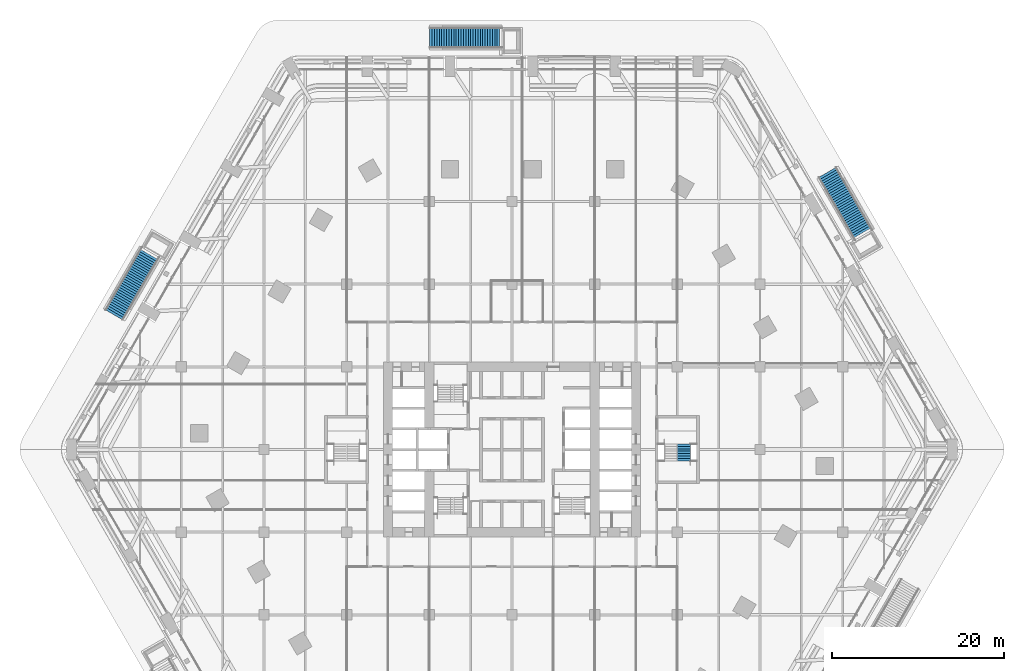
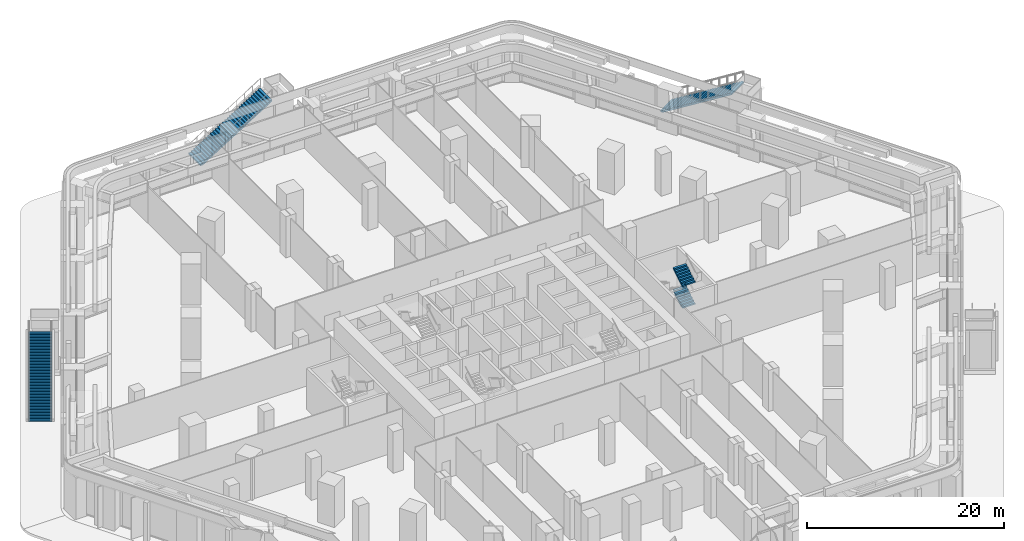
# One storey, part 28 of 34: 5 stair flights, 4 elements without a shape of their own.
"""IFC4 building model written with IfcOpenShell, lengths in metres."""

from ifc_helpers import new_model, si_unit, direction, frame, origin, place, context, subcontext, project, spatial, polyline, outline, extrude, material, type_object, element, aggregate, save


model = new_model("IFC4")

# Units and contexts
model_context = context("Model", 3, precision=1e-05, world=origin(), true_north=direction((0.0, 1.0)))
body_context = subcontext(model_context, "Body", "Model", "MODEL_VIEW")
ifc_project = project(units=[si_unit("LENGTHUNIT", "METRE"), si_unit("AREAUNIT", "SQUARE_METRE"), si_unit("VOLUMEUNIT", "CUBIC_METRE"), si_unit("PLANEANGLEUNIT", "RADIAN"), si_unit("MASSUNIT", "GRAM", prefix="KILO")], contexts=[model_context])

# Site, building, storey
site_placement = place(None, origin())
site = spatial("IfcSite", under=ifc_project, at=site_placement, CompositionType="ELEMENT")
building_placement = place(site_placement, origin())
building = spatial("IfcBuilding", under=site, at=building_placement, Name="Kolab Exchange Tower", CompositionType="ELEMENT")
storey_placement = place(building_placement, frame((0.0, 0.0, 7.0)))
storey = spatial("IfcBuildingStorey", under=building, at=storey_placement, Name="L01", CompositionType="ELEMENT", Elevation=7.0)

# Stair, stair flight
ifc_material_1 = material(Name="Concrete C40/50", Category="concrete")
stair_type_1 = type_object("IfcStairType", Name="GARDEN STAIR RUN B", PredefinedType="STRAIGHT_RUN_STAIR", material=ifc_material_1)
stair_1_placement = place(storey_placement, origin())
stair_1 = element("IfcStair", 1, at=stair_1_placement, inside=storey, type_object=stair_type_1, Name="Garden stair GS1 run B", PredefinedType="STRAIGHT_RUN_STAIR")
stair_flight_type_1 = type_object("IfcStairFlightType", Name="GARDEN STAIR FLIGHT B", PredefinedType="STRAIGHT", material=ifc_material_1)
stair_flight_1_placement = place(storey_placement, frame((-9.56005859375, 47.826171875, 0.0), z_axis=(0.0, 0.0, 1.0), x_axis=(1.0, 0.0, 0.0)))
stair_flight_1 = element("IfcStairFlight", 2, at=stair_flight_1_placement, type_object=stair_flight_type_1, Name="GS1 flight 1", NumberOfRisers=31, NumberOfTreads=30, PredefinedType="STRAIGHT", RiserHeight=0.174194, TreadLength=0.28, context=body_context, shape_type="SweptSolid", body=[
    extrude(outline(polyline([(0.0, 0.0), (0.0, 0.174072265625), (0.280029296875, 0.174072265625), (0.280029296875, 0.348388671875), (0.56005859375, 0.348388671875), (0.56005859375, 0.5224609375), (0.840087890625, 0.5224609375), (0.840087890625, 0.69677734375), (1.1201171875, 0.69677734375), (1.1201171875, 0.870849609375), (1.39990234375, 0.870849609375), (1.39990234375, 1.045166015625), (1.679931640625, 1.045166015625), (1.679931640625, 1.21923828125), (1.9599609375, 1.21923828125), (1.9599609375, 1.3935546875), (2.239990234375, 1.3935546875), (2.239990234375, 1.567626953125), (2.52001953125, 1.567626953125), (2.52001953125, 1.741943359375), (2.800048828125, 1.741943359375), (2.800048828125, 1.916015625), (3.080078125, 1.916015625), (3.080078125, 2.09033203125), (3.360107421875, 2.09033203125), (3.360107421875, 2.264404296875), (3.639892578125, 2.264404296875), (3.639892578125, 2.438720703125), (3.919921875, 2.438720703125), (3.919921875, 2.61279296875), (4.199951171875, 2.61279296875), (4.199951171875, 2.787109375), (4.47998046875, 2.787109375), (4.47998046875, 2.961181640625), (4.760009765625, 2.961181640625), (4.760009765625, 3.135498046875), (5.0400390625, 3.135498046875), (5.0400390625, 3.3095703125), (5.320068359375, 3.3095703125), (5.320068359375, 3.48388671875), (5.60009765625, 3.48388671875), (5.60009765625, 3.657958984375), (5.8798828125, 3.657958984375), (5.8798828125, 3.832275390625), (6.159912109375, 3.832275390625), (6.159912109375, 4.00634765625), (6.43994140625, 4.00634765625), (6.43994140625, 4.1806640625), (6.719970703125, 4.1806640625), (6.719970703125, 4.354736328125), (7.0, 4.354736328125), (7.0, 4.529052734375), (7.280029296875, 4.529052734375), (7.280029296875, 4.703125), (7.56005859375, 4.703125), (7.56005859375, 4.87744140625), (7.840087890625, 4.87744140625), (7.840087890625, 5.051513671875), (8.1201171875, 5.051513671875), (8.1201171875, 5.225830078125), (8.39990234375, 5.225830078125), (8.39990234375, 5.39990234375), (8.39990234375, 5.04931640625), (0.28369140625, 0.0), (0.0, 0.0)])), frame((0.0, 1.199951171875, 0.0), z_axis=(0.0, -1.0, 0.0), x_axis=(1.0, 0.0, 0.0)), (0.0, 0.0, 1.0), 2.39990234375),
])
aggregate(stair_1, [stair_flight_1])

stair_2_placement = place(storey_placement, origin())
stair_2 = element("IfcStair", 3, at=stair_2_placement, inside=storey, type_object=stair_type_1, Name="Garden stair GS2 run B", PredefinedType="STRAIGHT_RUN_STAIR")
stair_flight_2_placement = place(storey_placement, frame((36.638671875, 32.1923828125, 0.0), z_axis=(0.0, 0.0, 1.0), x_axis=(0.5, -0.866025403784, 0.0)))
stair_flight_2 = element("IfcStairFlight", 4, at=stair_flight_2_placement, type_object=stair_flight_type_1, Name="GS2 flight 1", NumberOfRisers=31, NumberOfTreads=30, PredefinedType="STRAIGHT", RiserHeight=0.174194, TreadLength=0.28, context=body_context, shape_type="SweptSolid", body=[
    extrude(outline(polyline([(0.0, 0.0), (0.0, 0.174072265625), (0.280029296875, 0.174072265625), (0.280029296875, 0.348388671875), (0.56005859375, 0.348388671875), (0.56005859375, 0.5224609375), (0.840087890625, 0.5224609375), (0.840087890625, 0.69677734375), (1.1201171875, 0.69677734375), (1.1201171875, 0.870849609375), (1.39990234375, 0.870849609375), (1.39990234375, 1.045166015625), (1.679931640625, 1.045166015625), (1.679931640625, 1.21923828125), (1.9599609375, 1.21923828125), (1.9599609375, 1.3935546875), (2.239990234375, 1.3935546875), (2.239990234375, 1.567626953125), (2.52001953125, 1.567626953125), (2.52001953125, 1.741943359375), (2.800048828125, 1.741943359375), (2.800048828125, 1.916015625), (3.080078125, 1.916015625), (3.080078125, 2.09033203125), (3.360107421875, 2.09033203125), (3.360107421875, 2.264404296875), (3.639892578125, 2.264404296875), (3.639892578125, 2.438720703125), (3.919921875, 2.438720703125), (3.919921875, 2.61279296875), (4.199951171875, 2.61279296875), (4.199951171875, 2.787109375), (4.47998046875, 2.787109375), (4.47998046875, 2.961181640625), (4.760009765625, 2.961181640625), (4.760009765625, 3.135498046875), (5.0400390625, 3.135498046875), (5.0400390625, 3.3095703125), (5.320068359375, 3.3095703125), (5.320068359375, 3.48388671875), (5.60009765625, 3.48388671875), (5.60009765625, 3.657958984375), (5.8798828125, 3.657958984375), (5.8798828125, 3.832275390625), (6.159912109375, 3.832275390625), (6.159912109375, 4.00634765625), (6.43994140625, 4.00634765625), (6.43994140625, 4.1806640625), (6.719970703125, 4.1806640625), (6.719970703125, 4.354736328125), (7.0, 4.354736328125), (7.0, 4.529052734375), (7.280029296875, 4.529052734375), (7.280029296875, 4.703125), (7.56005859375, 4.703125), (7.56005859375, 4.87744140625), (7.840087890625, 4.87744140625), (7.840087890625, 5.051513671875), (8.1201171875, 5.051513671875), (8.1201171875, 5.225830078125), (8.39990234375, 5.225830078125), (8.39990234375, 5.39990234375), (8.39990234375, 5.04931640625), (0.28369140625, 0.0), (0.0, 0.0)])), frame((0.0, 1.199951171875, 0.0), z_axis=(0.0, -1.0, 0.0), x_axis=(1.0, 0.0, 0.0)), (0.0, 0.0, 1.0), 2.39990234375),
])
aggregate(stair_2, [stair_flight_2])

stair_3_placement = place(storey_placement, origin())
stair_3 = element("IfcStair", 5, at=stair_3_placement, inside=storey, type_object=stair_type_1, Name="Garden stair GS6 run B", PredefinedType="STRAIGHT_RUN_STAIR")
stair_flight_3_placement = place(storey_placement, frame((-46.19873046875, 15.6337890625, 0.0), z_axis=(0.0, 0.0, 1.0), x_axis=(0.5, 0.866025403784, 0.0)))
stair_flight_3 = element("IfcStairFlight", 6, at=stair_flight_3_placement, type_object=stair_flight_type_1, Name="GS6 flight 1", NumberOfRisers=31, NumberOfTreads=30, PredefinedType="STRAIGHT", RiserHeight=0.174194, TreadLength=0.28, context=body_context, shape_type="SweptSolid", body=[
    extrude(outline(polyline([(0.0, 0.0), (0.0, 0.174072265625), (0.280029296875, 0.174072265625), (0.280029296875, 0.348388671875), (0.56005859375, 0.348388671875), (0.56005859375, 0.5224609375), (0.840087890625, 0.5224609375), (0.840087890625, 0.69677734375), (1.1201171875, 0.69677734375), (1.1201171875, 0.870849609375), (1.39990234375, 0.870849609375), (1.39990234375, 1.045166015625), (1.679931640625, 1.045166015625), (1.679931640625, 1.21923828125), (1.9599609375, 1.21923828125), (1.9599609375, 1.3935546875), (2.239990234375, 1.3935546875), (2.239990234375, 1.567626953125), (2.52001953125, 1.567626953125), (2.52001953125, 1.741943359375), (2.800048828125, 1.741943359375), (2.800048828125, 1.916015625), (3.080078125, 1.916015625), (3.080078125, 2.09033203125), (3.360107421875, 2.09033203125), (3.360107421875, 2.264404296875), (3.639892578125, 2.264404296875), (3.639892578125, 2.438720703125), (3.919921875, 2.438720703125), (3.919921875, 2.61279296875), (4.199951171875, 2.61279296875), (4.199951171875, 2.787109375), (4.47998046875, 2.787109375), (4.47998046875, 2.961181640625), (4.760009765625, 2.961181640625), (4.760009765625, 3.135498046875), (5.0400390625, 3.135498046875), (5.0400390625, 3.3095703125), (5.320068359375, 3.3095703125), (5.320068359375, 3.48388671875), (5.60009765625, 3.48388671875), (5.60009765625, 3.657958984375), (5.8798828125, 3.657958984375), (5.8798828125, 3.832275390625), (6.159912109375, 3.832275390625), (6.159912109375, 4.00634765625), (6.43994140625, 4.00634765625), (6.43994140625, 4.1806640625), (6.719970703125, 4.1806640625), (6.719970703125, 4.354736328125), (7.0, 4.354736328125), (7.0, 4.529052734375), (7.280029296875, 4.529052734375), (7.280029296875, 4.703125), (7.56005859375, 4.703125), (7.56005859375, 4.87744140625), (7.840087890625, 4.87744140625), (7.840087890625, 5.051513671875), (8.1201171875, 5.051513671875), (8.1201171875, 5.225830078125), (8.39990234375, 5.225830078125), (8.39990234375, 5.39990234375), (8.39990234375, 5.04931640625), (0.28369140625, 0.0), (0.0, 0.0)])), frame((0.0, 1.199951171875, 0.0), z_axis=(0.0, -1.0, 0.0), x_axis=(1.0, 0.0, 0.0)), (0.0, 0.0, 1.0), 2.39990234375),
])
aggregate(stair_3, [stair_flight_3])

# Stair, stair flights
ifc_material_2 = material(Name="Concrete C50/60", Category="concrete")
stair_type_2 = type_object("IfcStairType", Name="STAIR ST4 RISER 168.8", PredefinedType="DOUBLE_RETURN_STAIR", material=ifc_material_2)
stair_4_placement = place(storey_placement, origin())
stair_4 = element("IfcStair", 7, at=stair_4_placement, inside=storey, type_object=stair_type_2, Name="Stair 4", PredefinedType="DOUBLE_RETURN_STAIR")
stair_flight_type_2 = type_object("IfcStairFlightType", Name="STAIR FLIGHT 1500 RISER 168.8", PredefinedType="STRAIGHT", material=ifc_material_2)
stair_flight_4_placement = place(storey_placement, frame((19.9599609375, -1.31005859375, 1.35009765625), z_axis=(0.0, 0.0, 1.0), x_axis=(0.0, 1.0, 0.0)))
stair_flight_4 = element("IfcStairFlight", 8, at=stair_flight_4_placement, type_object=stair_flight_type_2, Name="ST4 flight 2", NumberOfRisers=8, NumberOfTreads=7, PredefinedType="STRAIGHT", RiserHeight=0.16875, TreadLength=0.28, context=body_context, shape_type="SweptSolid", body=[
    extrude(outline(polyline([(0.0, 0.0), (0.0, 0.168701171875), (0.280029296875, 0.168701171875), (0.280029296875, 0.33740234375), (0.56005859375, 0.33740234375), (0.56005859375, 0.50634765625), (0.840087890625, 0.50634765625), (0.840087890625, 0.675048828125), (1.1201171875, 0.675048828125), (1.1201171875, 0.84375), (1.39990234375, 0.84375), (1.39990234375, 1.012451171875), (1.679931640625, 1.012451171875), (1.679931640625, 1.18115234375), (1.9599609375, 1.18115234375), (1.9599609375, 1.35009765625), (1.9599609375, 1.00634765625), (0.29052734375, 0.0), (0.0, 0.0)])), frame((0.0, 0.75, 0.0), z_axis=(0.0, -1.0, 0.0), x_axis=(1.0, 0.0, 0.0)), (0.0, 0.0, 1.0), 0.185791015625),
    extrude(outline(polyline([(0.0, 0.0), (0.0, 0.168701171875), (0.280029296875, 0.168701171875), (0.280029296875, 0.33740234375), (0.56005859375, 0.33740234375), (0.56005859375, 0.50634765625), (0.840087890625, 0.50634765625), (0.840087890625, 0.675048828125), (1.1201171875, 0.675048828125), (1.1201171875, 0.84375), (1.39990234375, 0.84375), (1.39990234375, 1.012451171875), (1.679931640625, 1.012451171875), (1.679931640625, 1.18115234375), (1.9599609375, 1.18115234375), (1.9599609375, 1.35009765625), (1.9599609375, 1.00634765625), (0.29052734375, 0.0), (0.0, 0.0)])), frame((0.0, 0.562255859375, 0.0), z_axis=(0.0, -1.0, 0.0), x_axis=(1.0, 0.0, 0.0)), (0.0, 0.0, 1.0), 0.185791015625),
    extrude(outline(polyline([(0.0, 0.0), (0.0, 0.168701171875), (0.280029296875, 0.168701171875), (0.280029296875, 0.33740234375), (0.56005859375, 0.33740234375), (0.56005859375, 0.50634765625), (0.840087890625, 0.50634765625), (0.840087890625, 0.675048828125), (1.1201171875, 0.675048828125), (1.1201171875, 0.84375), (1.39990234375, 0.84375), (1.39990234375, 1.012451171875), (1.679931640625, 1.012451171875), (1.679931640625, 1.18115234375), (1.9599609375, 1.18115234375), (1.9599609375, 1.35009765625), (1.9599609375, 1.00634765625), (0.29052734375, 0.0), (0.0, 0.0)])), frame((0.0, 0.37451171875, 0.0), z_axis=(0.0, -1.0, 0.0), x_axis=(1.0, 0.0, 0.0)), (0.0, 0.0, 1.0), 0.185791015625),
    extrude(outline(polyline([(0.0, 0.0), (0.0, 0.168701171875), (0.280029296875, 0.168701171875), (0.280029296875, 0.33740234375), (0.56005859375, 0.33740234375), (0.56005859375, 0.50634765625), (0.840087890625, 0.50634765625), (0.840087890625, 0.675048828125), (1.1201171875, 0.675048828125), (1.1201171875, 0.84375), (1.39990234375, 0.84375), (1.39990234375, 1.012451171875), (1.679931640625, 1.012451171875), (1.679931640625, 1.18115234375), (1.9599609375, 1.18115234375), (1.9599609375, 1.35009765625), (1.9599609375, 1.00634765625), (0.29052734375, 0.0), (0.0, 0.0)])), frame((0.0, 0.186767578125, 0.0), z_axis=(0.0, -1.0, 0.0), x_axis=(1.0, 0.0, 0.0)), (0.0, 0.0, 1.0), 0.185791015625),
    extrude(outline(polyline([(0.0, 0.0), (0.0, 0.168701171875), (0.280029296875, 0.168701171875), (0.280029296875, 0.33740234375), (0.56005859375, 0.33740234375), (0.56005859375, 0.50634765625), (0.840087890625, 0.50634765625), (0.840087890625, 0.675048828125), (1.1201171875, 0.675048828125), (1.1201171875, 0.84375), (1.39990234375, 0.84375), (1.39990234375, 1.012451171875), (1.679931640625, 1.012451171875), (1.679931640625, 1.18115234375), (1.9599609375, 1.18115234375), (1.9599609375, 1.35009765625), (1.9599609375, 1.00634765625), (0.29052734375, 0.0), (0.0, 0.0)])), frame((0.0, -0.0009765625, 0.0), z_axis=(0.0, -1.0, 0.0), x_axis=(1.0, 0.0, 0.0)), (0.0, 0.0, 1.0), 0.185791015625),
    extrude(outline(polyline([(0.0, 0.0), (0.0, 0.168701171875), (0.280029296875, 0.168701171875), (0.280029296875, 0.33740234375), (0.56005859375, 0.33740234375), (0.56005859375, 0.50634765625), (0.840087890625, 0.50634765625), (0.840087890625, 0.675048828125), (1.1201171875, 0.675048828125), (1.1201171875, 0.84375), (1.39990234375, 0.84375), (1.39990234375, 1.012451171875), (1.679931640625, 1.012451171875), (1.679931640625, 1.18115234375), (1.9599609375, 1.18115234375), (1.9599609375, 1.35009765625), (1.9599609375, 1.00634765625), (0.29052734375, 0.0), (0.0, 0.0)])), frame((0.0, -0.188720703125, 0.0), z_axis=(0.0, -1.0, 0.0), x_axis=(1.0, 0.0, 0.0)), (0.0, 0.0, 1.0), 0.185791015625),
    extrude(outline(polyline([(0.0, 0.0), (0.0, 0.168701171875), (0.280029296875, 0.168701171875), (0.280029296875, 0.33740234375), (0.56005859375, 0.33740234375), (0.56005859375, 0.50634765625), (0.840087890625, 0.50634765625), (0.840087890625, 0.675048828125), (1.1201171875, 0.675048828125), (1.1201171875, 0.84375), (1.39990234375, 0.84375), (1.39990234375, 1.012451171875), (1.679931640625, 1.012451171875), (1.679931640625, 1.18115234375), (1.9599609375, 1.18115234375), (1.9599609375, 1.35009765625), (1.9599609375, 1.00634765625), (0.29052734375, 0.0), (0.0, 0.0)])), frame((0.0, -0.37646484375, 0.0), z_axis=(0.0, -1.0, 0.0), x_axis=(1.0, 0.0, 0.0)), (0.0, 0.0, 1.0), 0.185791015625),
    extrude(outline(polyline([(0.0, 0.0), (0.0, 0.168701171875), (0.280029296875, 0.168701171875), (0.280029296875, 0.33740234375), (0.56005859375, 0.33740234375), (0.56005859375, 0.50634765625), (0.840087890625, 0.50634765625), (0.840087890625, 0.675048828125), (1.1201171875, 0.675048828125), (1.1201171875, 0.84375), (1.39990234375, 0.84375), (1.39990234375, 1.012451171875), (1.679931640625, 1.012451171875), (1.679931640625, 1.18115234375), (1.9599609375, 1.18115234375), (1.9599609375, 1.35009765625), (1.9599609375, 1.00634765625), (0.29052734375, 0.0), (0.0, 0.0)])), frame((0.0, -0.564208984375, 0.0), z_axis=(0.0, -1.0, 0.0), x_axis=(1.0, 0.0, 0.0)), (0.0, 0.0, 1.0), 0.185791015625),
])
stair_flight_5_placement = place(storey_placement, frame((19.9599609375, -1.31005859375, 4.050048828125), z_axis=(0.0, 0.0, 1.0), x_axis=(0.0, 1.0, 0.0)))
stair_flight_5 = element("IfcStairFlight", 9, at=stair_flight_5_placement, type_object=stair_flight_type_2, Name="ST4 flight 4", NumberOfRisers=8, NumberOfTreads=7, PredefinedType="STRAIGHT", RiserHeight=0.16875, TreadLength=0.28, context=body_context, shape_type="SweptSolid", body=[
    extrude(outline(polyline([(0.0, 0.0), (0.0, 0.168701171875), (0.280029296875, 0.168701171875), (0.280029296875, 0.33740234375), (0.56005859375, 0.33740234375), (0.56005859375, 0.50634765625), (0.840087890625, 0.50634765625), (0.840087890625, 0.675048828125), (1.1201171875, 0.675048828125), (1.1201171875, 0.84375), (1.39990234375, 0.84375), (1.39990234375, 1.012451171875), (1.679931640625, 1.012451171875), (1.679931640625, 1.18115234375), (1.9599609375, 1.18115234375), (1.9599609375, 1.35009765625), (1.9599609375, 1.00634765625), (0.29052734375, 0.0), (0.0, 0.0)])), frame((0.0, 0.75, 0.0), z_axis=(0.0, -1.0, 0.0), x_axis=(1.0, 0.0, 0.0)), (0.0, 0.0, 1.0), 0.185791015625),
    extrude(outline(polyline([(0.0, 0.0), (0.0, 0.168701171875), (0.280029296875, 0.168701171875), (0.280029296875, 0.33740234375), (0.56005859375, 0.33740234375), (0.56005859375, 0.50634765625), (0.840087890625, 0.50634765625), (0.840087890625, 0.675048828125), (1.1201171875, 0.675048828125), (1.1201171875, 0.84375), (1.39990234375, 0.84375), (1.39990234375, 1.012451171875), (1.679931640625, 1.012451171875), (1.679931640625, 1.18115234375), (1.9599609375, 1.18115234375), (1.9599609375, 1.35009765625), (1.9599609375, 1.00634765625), (0.29052734375, 0.0), (0.0, 0.0)])), frame((0.0, 0.562255859375, 0.0), z_axis=(0.0, -1.0, 0.0), x_axis=(1.0, 0.0, 0.0)), (0.0, 0.0, 1.0), 0.185791015625),
    extrude(outline(polyline([(0.0, 0.0), (0.0, 0.168701171875), (0.280029296875, 0.168701171875), (0.280029296875, 0.33740234375), (0.56005859375, 0.33740234375), (0.56005859375, 0.50634765625), (0.840087890625, 0.50634765625), (0.840087890625, 0.675048828125), (1.1201171875, 0.675048828125), (1.1201171875, 0.84375), (1.39990234375, 0.84375), (1.39990234375, 1.012451171875), (1.679931640625, 1.012451171875), (1.679931640625, 1.18115234375), (1.9599609375, 1.18115234375), (1.9599609375, 1.35009765625), (1.9599609375, 1.00634765625), (0.29052734375, 0.0), (0.0, 0.0)])), frame((0.0, 0.37451171875, 0.0), z_axis=(0.0, -1.0, 0.0), x_axis=(1.0, 0.0, 0.0)), (0.0, 0.0, 1.0), 0.185791015625),
    extrude(outline(polyline([(0.0, 0.0), (0.0, 0.168701171875), (0.280029296875, 0.168701171875), (0.280029296875, 0.33740234375), (0.56005859375, 0.33740234375), (0.56005859375, 0.50634765625), (0.840087890625, 0.50634765625), (0.840087890625, 0.675048828125), (1.1201171875, 0.675048828125), (1.1201171875, 0.84375), (1.39990234375, 0.84375), (1.39990234375, 1.012451171875), (1.679931640625, 1.012451171875), (1.679931640625, 1.18115234375), (1.9599609375, 1.18115234375), (1.9599609375, 1.35009765625), (1.9599609375, 1.00634765625), (0.29052734375, 0.0), (0.0, 0.0)])), frame((0.0, 0.186767578125, 0.0), z_axis=(0.0, -1.0, 0.0), x_axis=(1.0, 0.0, 0.0)), (0.0, 0.0, 1.0), 0.185791015625),
    extrude(outline(polyline([(0.0, 0.0), (0.0, 0.168701171875), (0.280029296875, 0.168701171875), (0.280029296875, 0.33740234375), (0.56005859375, 0.33740234375), (0.56005859375, 0.50634765625), (0.840087890625, 0.50634765625), (0.840087890625, 0.675048828125), (1.1201171875, 0.675048828125), (1.1201171875, 0.84375), (1.39990234375, 0.84375), (1.39990234375, 1.012451171875), (1.679931640625, 1.012451171875), (1.679931640625, 1.18115234375), (1.9599609375, 1.18115234375), (1.9599609375, 1.35009765625), (1.9599609375, 1.00634765625), (0.29052734375, 0.0), (0.0, 0.0)])), frame((0.0, -0.0009765625, 0.0), z_axis=(0.0, -1.0, 0.0), x_axis=(1.0, 0.0, 0.0)), (0.0, 0.0, 1.0), 0.185791015625),
    extrude(outline(polyline([(0.0, 0.0), (0.0, 0.168701171875), (0.280029296875, 0.168701171875), (0.280029296875, 0.33740234375), (0.56005859375, 0.33740234375), (0.56005859375, 0.50634765625), (0.840087890625, 0.50634765625), (0.840087890625, 0.675048828125), (1.1201171875, 0.675048828125), (1.1201171875, 0.84375), (1.39990234375, 0.84375), (1.39990234375, 1.012451171875), (1.679931640625, 1.012451171875), (1.679931640625, 1.18115234375), (1.9599609375, 1.18115234375), (1.9599609375, 1.35009765625), (1.9599609375, 1.00634765625), (0.29052734375, 0.0), (0.0, 0.0)])), frame((0.0, -0.188720703125, 0.0), z_axis=(0.0, -1.0, 0.0), x_axis=(1.0, 0.0, 0.0)), (0.0, 0.0, 1.0), 0.185791015625),
    extrude(outline(polyline([(0.0, 0.0), (0.0, 0.168701171875), (0.280029296875, 0.168701171875), (0.280029296875, 0.33740234375), (0.56005859375, 0.33740234375), (0.56005859375, 0.50634765625), (0.840087890625, 0.50634765625), (0.840087890625, 0.675048828125), (1.1201171875, 0.675048828125), (1.1201171875, 0.84375), (1.39990234375, 0.84375), (1.39990234375, 1.012451171875), (1.679931640625, 1.012451171875), (1.679931640625, 1.18115234375), (1.9599609375, 1.18115234375), (1.9599609375, 1.35009765625), (1.9599609375, 1.00634765625), (0.29052734375, 0.0), (0.0, 0.0)])), frame((0.0, -0.37646484375, 0.0), z_axis=(0.0, -1.0, 0.0), x_axis=(1.0, 0.0, 0.0)), (0.0, 0.0, 1.0), 0.185791015625),
    extrude(outline(polyline([(0.0, 0.0), (0.0, 0.168701171875), (0.280029296875, 0.168701171875), (0.280029296875, 0.33740234375), (0.56005859375, 0.33740234375), (0.56005859375, 0.50634765625), (0.840087890625, 0.50634765625), (0.840087890625, 0.675048828125), (1.1201171875, 0.675048828125), (1.1201171875, 0.84375), (1.39990234375, 0.84375), (1.39990234375, 1.012451171875), (1.679931640625, 1.012451171875), (1.679931640625, 1.18115234375), (1.9599609375, 1.18115234375), (1.9599609375, 1.35009765625), (1.9599609375, 1.00634765625), (0.29052734375, 0.0), (0.0, 0.0)])), frame((0.0, -0.564208984375, 0.0), z_axis=(0.0, -1.0, 0.0), x_axis=(1.0, 0.0, 0.0)), (0.0, 0.0, 1.0), 0.185791015625),
])
aggregate(stair_4, [stair_flight_4, stair_flight_5])

save(model, "model.ifc")
